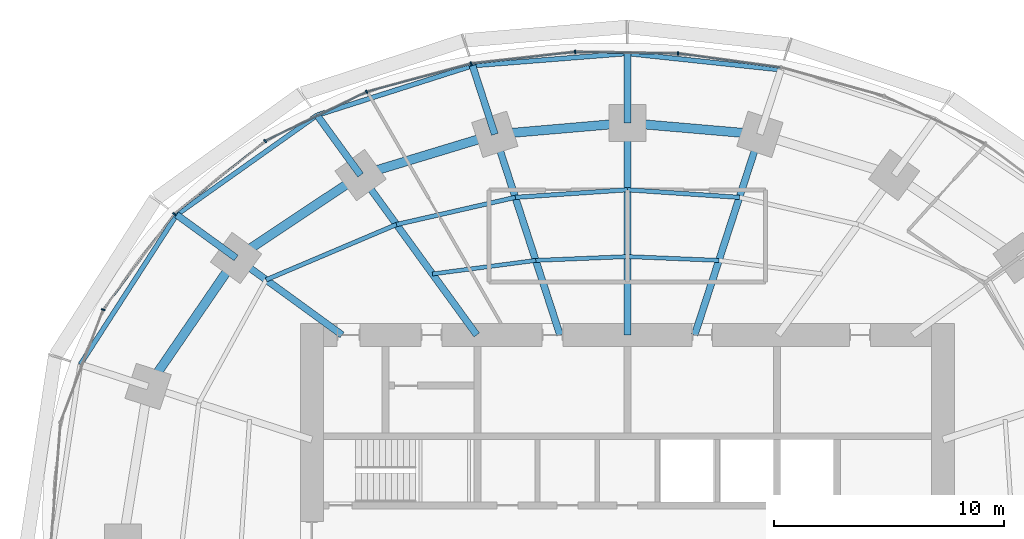
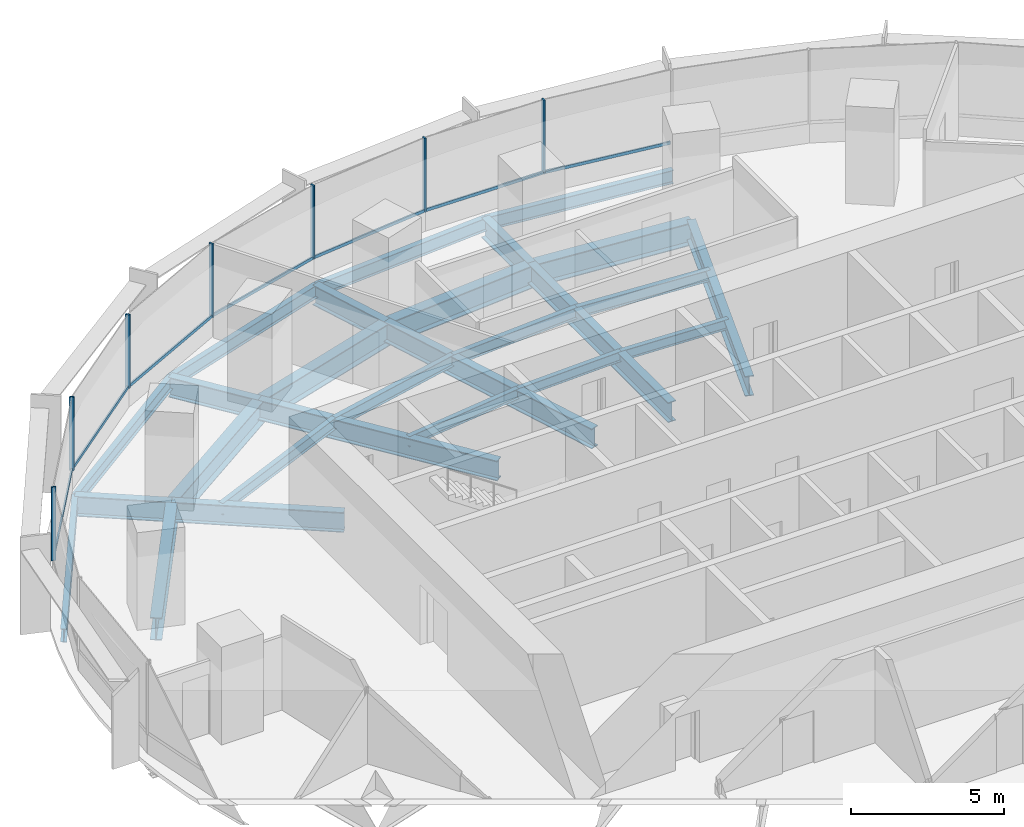
# One storey, part 7 of 14: 26 beams, 14 members, 2 elements without a shape of their own.
"""IFC4 building model written with IfcOpenShell, lengths in metres."""

from ifc_helpers import new_model, si_unit, direction, frame, origin, origin_2d, place, context, subcontext, project, spatial, rectangle, i_section, extrude, material, material_profile, profile_set, type_object, element, aggregate, save


model = new_model("IFC4")

# Units and contexts
model_context = context("Model", 3, precision=1e-05, world=origin(), true_north=direction((0.0, 1.0)))
body_context = subcontext(model_context, "Body", "Model", "MODEL_VIEW")
ifc_project = project(units=[si_unit("LENGTHUNIT", "METRE"), si_unit("AREAUNIT", "SQUARE_METRE"), si_unit("VOLUMEUNIT", "CUBIC_METRE"), si_unit("PLANEANGLEUNIT", "RADIAN"), si_unit("MASSUNIT", "GRAM", prefix="KILO")], contexts=[model_context])

# Site, building, storey
site_placement = place(None, origin())
site = spatial("IfcSite", under=ifc_project, at=site_placement, CompositionType="ELEMENT")
building_placement = place(site_placement, origin())
building = spatial("IfcBuilding", under=site, at=building_placement, Name="Marramba Exchange Tower", CompositionType="ELEMENT")
storey_placement = place(building_placement, frame((0.0, 0.0, 96.300048828125)))
storey = spatial("IfcBuildingStorey", under=building, at=storey_placement, Name="L22", CompositionType="ELEMENT", Elevation=96.300048828125)

# Beams
ifc_material_1 = material(Name="Steel AS/NZS 3679.2 grade 300", Category="steel")
ifc_material_profile_1 = material_profile(ifc_material_1, i_section(OverallWidth=0.300048828125, OverallDepth=0.800048828125, WebThickness=0.013916015625, FlangeThickness=0.031982421875, at=origin_2d()), Name="800WB192")
ifc_profile_set_1 = profile_set([ifc_material_profile_1], Name="Steel AS/NZS 3679.2 grade 300")
beam_type_1 = type_object("IfcBeamType", Name="Cantilever girder 800WB192", PredefinedType="BEAM", material=ifc_profile_set_1)
beam_1_placement = place(storey_placement, frame((0.0, 18.2041015625, -0.56005859375), z_axis=(0.0, 1.0, 0.0), x_axis=(-1.0, 0.0, 0.0)))
element("IfcBeam", 1, at=beam_1_placement, inside=storey, type_object=beam_type_1, Name="Cantilever girder L22 TC06", PredefinedType="BEAM", context=body_context, shape_type="SweptSolid", body=[
    extrude(i_section(OverallWidth=0.300048828125, OverallDepth=0.800048828125, WebThickness=0.013916015625, FlangeThickness=0.031982421875, at=origin_2d()), origin(), (0.0, 0.0, 1.0), 3.01904296875),
])
beam_2_placement = place(storey_placement, frame((-5.75390625, 17.70849609375, -0.56005859375), z_axis=(-0.309028002802, 0.95105293937, 0.0), x_axis=(-0.95105293937, -0.309028002802, 0.0)))
element("IfcBeam", 2, at=beam_2_placement, inside=storey, type_object=beam_type_1, Name="Cantilever girder L22 TC07", PredefinedType="BEAM", context=body_context, shape_type="SweptSolid", body=[
    extrude(i_section(OverallWidth=0.300048828125, OverallDepth=0.800048828125, WebThickness=0.013916015625, FlangeThickness=0.031982421875, at=origin_2d()), origin(), (0.0, 0.0, 1.0), 3.13720703125),
])
beam_3_placement = place(storey_placement, frame((-11.581298828125, 15.9404296875, -0.56005859375), z_axis=(-0.587828447158, 0.808985609706, 0.0), x_axis=(-0.808985609706, -0.587828447158, 0.0)))
element("IfcBeam", 3, at=beam_3_placement, inside=storey, type_object=beam_type_1, Name="Cantilever girder L22 TC08", PredefinedType="BEAM", context=body_context, shape_type="SweptSolid", body=[
    extrude(i_section(OverallWidth=0.300048828125, OverallDepth=0.800048828125, WebThickness=0.013916015625, FlangeThickness=0.031982421875, at=origin_2d()), origin(), (0.0, 0.0, 1.0), 3.214599609375),
])
beam_4_placement = place(storey_placement, frame((-16.98583984375, 12.3408203125, -0.56005859375), z_axis=(-0.809013857915, 0.587789569234, 0.0), x_axis=(-0.587789569234, -0.809013857915, 0.0)))
element("IfcBeam", 4, at=beam_4_placement, inside=storey, type_object=beam_type_1, Name="Cantilever girder L22 TC09", PredefinedType="BEAM", context=body_context, shape_type="SweptSolid", body=[
    extrude(i_section(OverallWidth=0.300048828125, OverallDepth=0.800048828125, WebThickness=0.013916015625, FlangeThickness=0.031982421875, at=origin_2d()), origin(), (0.0, 0.0, 1.0), 3.191650390625),
])
ifc_material_2 = material(Name="Steel AS/NZS 3679.1 grade 300", Category="steel")
ifc_material_profile_2 = material_profile(ifc_material_2, i_section(OverallWidth=0.177978515625, OverallDepth=0.406005859375, WebThickness=0.0078125, FlangeThickness=0.0126953125, FilletRadius=0.011474609375, at=origin_2d()), Name="410UB59.7")
ifc_profile_set_2 = profile_set([ifc_material_profile_2], Name="Steel AS/NZS 3679.1 grade 300")
beam_type_2 = type_object("IfcBeamType", Name="Floor joist 410UB59.7", PredefinedType="JOIST", material=ifc_profile_set_2)
for number, where, z_axis, x_axis, name in (
    (5, (3.975830078125, 12.236083984375, -0.363037109375), (-0.999137002892, 0.041536122257, 0.0), (-0.041536122257, -0.999137002892, 0.0), "Joist L22 bay 05 row 1"),
    (6, (0.0, 12.4013671875, -0.363037109375), (-0.999137002892, -0.041536122257, 0.0), (0.041536122257, -0.999137002892, 0.0), "Joist L22 bay 06 row 1"),
):
    element("IfcBeam", number, at=place(storey_placement, frame(where, z_axis=z_axis, x_axis=x_axis)), inside=storey, type_object=beam_type_2, Name=name, PredefinedType="JOIST", context=body_context, shape_type="SweptSolid", body=[
        extrude(i_section(OverallWidth=0.177978515625, OverallDepth=0.406005859375, WebThickness=0.0078125, FlangeThickness=0.0126953125, FilletRadius=0.011474609375, at=origin_2d()), origin(), (0.0, 0.0, 1.0), 3.979248046875),
    ])
beam_5_placement = place(storey_placement, frame((-3.975830078125, 12.236083984375, -0.363037109375), z_axis=(-0.991480538255, -0.130254912618, 0.0), x_axis=(0.130254912618, -0.991480538255, 0.0)))
element("IfcBeam", 7, at=beam_5_placement, inside=storey, type_object=beam_type_2, Name="Joist L22 bay 07 row 1", PredefinedType="JOIST", context=body_context, shape_type="SweptSolid", body=[
    extrude(i_section(OverallWidth=0.177978515625, OverallDepth=0.406005859375, WebThickness=0.0078125, FlangeThickness=0.0126953125, FilletRadius=0.011474609375, at=origin_2d()), origin(), (0.0, 0.0, 1.0), 4.524658203125),
])
ifc_material_profile_3 = material_profile(ifc_material_2, i_section(OverallWidth=0.18994140625, OverallDepth=0.4541015625, WebThickness=0.008544921875, FlangeThickness=0.0126953125, FilletRadius=0.011474609375, at=origin_2d()), Name="460UB67.1")
ifc_profile_set_3 = profile_set([ifc_material_profile_3], Name="Steel AS/NZS 3679.1 grade 300")
beam_type_3 = type_object("IfcBeamType", Name="Floor joist 460UB67.1", PredefinedType="JOIST", material=ifc_profile_set_3)
for number, where, z_axis, x_axis, name in (
    (8, (4.86474609375, 14.972412109375, -0.386962890625), (-0.997702652202, 0.067745241816, 0.0), (-0.067745241816, -0.997702652202, 0.0), "Joist L22 bay 05 row 2"),
    (9, (0.0, 15.302734375, -0.386962890625), (-0.997702652202, -0.067745241816, 0.0), (0.067745241816, -0.997702652202, 0.0), "Joist L22 bay 06 row 2"),
):
    element("IfcBeam", number, at=place(storey_placement, frame(where, z_axis=z_axis, x_axis=x_axis)), inside=storey, type_object=beam_type_3, Name=name, PredefinedType="JOIST", context=body_context, shape_type="SweptSolid", body=[
        extrude(i_section(OverallWidth=0.18994140625, OverallDepth=0.4541015625, WebThickness=0.008544921875, FlangeThickness=0.0126953125, FilletRadius=0.011474609375, at=origin_2d()), origin(), (0.0, 0.0, 1.0), 4.8759765625),
    ])
beam_6_placement = place(storey_placement, frame((-4.86474609375, 14.972412109375, -0.386962890625), z_axis=(-0.974859652292, -0.222819788916, 0.0), x_axis=(0.222819788916, -0.974859652292, 0.0)))
element("IfcBeam", 10, at=beam_6_placement, inside=storey, type_object=beam_type_3, Name="Joist L22 bay 07 row 2", PredefinedType="JOIST", context=body_context, shape_type="SweptSolid", body=[
    extrude(i_section(OverallWidth=0.18994140625, OverallDepth=0.4541015625, WebThickness=0.008544921875, FlangeThickness=0.0126953125, FilletRadius=0.011474609375, at=origin_2d()), origin(), (0.0, 0.0, 1.0), 5.2900390625),
])
beam_7_placement = place(storey_placement, frame((-10.021728515625, 13.793701171875, -0.386962890625), z_axis=(-0.920674336375, -0.390331610738, 0.0), x_axis=(0.390331610738, -0.920674336375, 0.0)))
element("IfcBeam", 11, at=beam_7_placement, inside=storey, type_object=beam_type_3, Name="Joist L22 bay 08 row 2", PredefinedType="JOIST", context=body_context, shape_type="SweptSolid", body=[
    extrude(i_section(OverallWidth=0.18994140625, OverallDepth=0.4541015625, WebThickness=0.008544921875, FlangeThickness=0.0126953125, FilletRadius=0.011474609375, at=origin_2d()), origin(), (0.0, 0.0, 1.0), 6.1484375),
])

# Curtain wall, members
ifc_material_3 = material(Name="Aluminium framing, bronze anodised", Category="aluminium")
curtain_wall_type = type_object("IfcCurtainWallType", Name="Office ribbon curtain wall", PredefinedType="USERDEFINED", material=ifc_material_3)
curtain_wall_1_placement = place(storey_placement, origin())
curtain_wall_1 = element("IfcCurtainWall", 12, at=curtain_wall_1_placement, inside=storey, type_object=curtain_wall_type, Name="Curtain wall CW4 L22 F06-F10", ObjectType="RIBBON CURTAIN WALL", PredefinedType="USERDEFINED")
ifc_material_4 = material(Name="Aluminium mullion, bronze anodised", Category="aluminium")
ifc_material_profile_4 = material_profile(ifc_material_4, rectangle(XDim=0.159912109375, YDim=0.06005859375, at=origin_2d()), Name="CW4 mullion 60x160")
ifc_profile_set_4 = profile_set([ifc_material_profile_4], Name="Aluminium mullion, bronze anodised")
member_type_1 = type_object("IfcMemberType", Name="Office ribbon curtain wall mullion", PredefinedType="MULLION", material=ifc_profile_set_4)
member_1_placement = place(storey_placement, frame((2.200439453125, 21.2216796875, 0.800048828125), z_axis=(0.0, 0.0, 1.0), x_axis=(-0.01575578169, -0.999875869968, 0.0)))
member_1 = element("IfcMember", 13, at=member_1_placement, type_object=member_type_1, Name="CW4 mullion 1", PredefinedType="MULLION", context=body_context, shape_type="SweptSolid", body=[
    extrude(rectangle(XDim=0.159912109375, YDim=0.06005859375, at=origin_2d()), origin(), (0.0, 0.0, 1.0), 2.93994140625),
])
member_2_placement = place(storey_placement, frame((-2.267578125, 21.288330078125, 0.800048828125), z_axis=(0.0, 0.0, 1.0), x_axis=(0.110973233233, -0.993823395532, 0.0)))
member_2 = element("IfcMember", 14, at=member_2_placement, type_object=member_type_1, Name="CW4 mullion 1", PredefinedType="MULLION", context=body_context, shape_type="SweptSolid", body=[
    extrude(rectangle(XDim=0.159912109375, YDim=0.06005859375, at=origin_2d()), origin(), (0.0, 0.0, 1.0), 2.93994140625),
])
member_3_placement = place(storey_placement, frame((-6.783203125, 20.779541015625, 0.800048828125), z_axis=(0.0, 0.0, 1.0), x_axis=(0.260321294588, -0.965522047176, 0.0)))
member_3 = element("IfcMember", 15, at=member_3_placement, type_object=member_type_1, Name="CW4 mullion 1", PredefinedType="MULLION", context=body_context, shape_type="SweptSolid", body=[
    extrude(rectangle(XDim=0.159912109375, YDim=0.06005859375, at=origin_2d()), origin(), (0.0, 0.0, 1.0), 2.93994140625),
])

curtain_wall_2_placement = place(storey_placement, origin())
curtain_wall_2 = element("IfcCurtainWall", 16, at=curtain_wall_2_placement, inside=storey, type_object=curtain_wall_type, Name="Curtain wall CW4 L22 F11-F15", ObjectType="RIBBON CURTAIN WALL", PredefinedType="USERDEFINED")
member_4_placement = place(storey_placement, frame((-11.32177734375, 19.550048828125, 0.800048828125), z_axis=(0.0, 0.0, 1.0), x_axis=(0.435427626771, -0.900223739881, 0.0)))
member_4 = element("IfcMember", 17, at=member_4_placement, type_object=member_type_1, Name="CW4 mullion 1", PredefinedType="MULLION", context=body_context, shape_type="SweptSolid", body=[
    extrude(rectangle(XDim=0.159912109375, YDim=0.06005859375, at=origin_2d()), origin(), (0.0, 0.0, 1.0), 2.93994140625),
])
member_5_placement = place(storey_placement, frame((-15.720703125, 17.414794921875, 0.800048828125), z_axis=(0.0, 0.0, 1.0), x_axis=(0.624307950145, -0.78117833008, 0.0)))
member_5 = element("IfcMember", 18, at=member_5_placement, type_object=member_type_1, Name="CW4 mullion 1", PredefinedType="MULLION", context=body_context, shape_type="SweptSolid", body=[
    extrude(rectangle(XDim=0.159912109375, YDim=0.06005859375, at=origin_2d()), origin(), (0.0, 0.0, 1.0), 2.93994140625),
])
member_6_placement = place(storey_placement, frame((-19.666748046875, 14.251708984375, 0.800048828125), z_axis=(0.0, 0.0, 1.0), x_axis=(0.80171686484, -0.597703997504, 0.0)))
member_6 = element("IfcMember", 19, at=member_6_placement, type_object=member_type_1, Name="CW4 mullion 1", PredefinedType="MULLION", context=body_context, shape_type="SweptSolid", body=[
    extrude(rectangle(XDim=0.159912109375, YDim=0.06005859375, at=origin_2d()), origin(), (0.0, 0.0, 1.0), 2.93994140625),
])
member_7_placement = place(storey_placement, frame((-22.75341796875, 10.09765625, 0.800048828125), z_axis=(0.0, 0.0, 1.0), x_axis=(0.934925346317, -0.354844468484, 0.0)))
member_7 = element("IfcMember", 20, at=member_7_placement, type_object=member_type_1, Name="CW4 mullion 1", PredefinedType="MULLION", context=body_context, shape_type="SweptSolid", body=[
    extrude(rectangle(XDim=0.159912109375, YDim=0.06005859375, at=origin_2d()), origin(), (0.0, 0.0, 1.0), 2.93994140625),
])

# Member
ifc_material_5 = material(Name="Aluminium transom, bronze anodised", Category="aluminium")
ifc_material_profile_5 = material_profile(ifc_material_5, rectangle(XDim=0.06005859375, YDim=0.1201171875, at=origin_2d()), Name="CW4 transom 60x120")
ifc_profile_set_5 = profile_set([ifc_material_profile_5], Name="Aluminium transom, bronze anodised")
member_type_2 = type_object("IfcMemberType", Name="Office ribbon curtain wall transom", PredefinedType="USERDEFINED", material=ifc_profile_set_5)
member_8_placement = place(storey_placement, frame((6.636962890625, 20.6171875, 0.829833984375), z_axis=(-0.990736067897, 0.135801486619, 0.0), x_axis=(-0.135801486619, -0.990736067897, 0.0)))
member_8 = element("IfcMember", 21, at=member_8_placement, type_object=member_type_2, Name="CW4 sill transom", ObjectType="TRANSOM", PredefinedType="USERDEFINED", context=body_context, shape_type="SweptSolid", body=[
    extrude(rectangle(XDim=0.06005859375, YDim=0.1201171875, at=origin_2d()), origin(), (0.0, 0.0, 1.0), 4.44775390625),
])

member_9_placement = place(storey_placement, frame((2.17041015625, 21.22216796875, 0.829833984375), z_axis=(-0.999875452363, 0.015782260962, 0.0), x_axis=(-0.015782260962, -0.999875452363, 0.0)))
member_9 = element("IfcMember", 22, at=member_9_placement, type_object=member_type_2, Name="CW4 sill transom", ObjectType="TRANSOM", PredefinedType="USERDEFINED", context=body_context, shape_type="SweptSolid", body=[
    extrude(rectangle(XDim=0.06005859375, YDim=0.1201171875, at=origin_2d()), origin(), (0.0, 0.0, 1.0), 4.40869140625),
])

member_10_placement = place(storey_placement, frame((-2.29736328125, 21.284912109375, 0.829833984375), z_axis=(-0.993825837835, -0.110951358943, 0.0), x_axis=(0.110951358943, -0.993825837835, 0.0)))
member_10 = element("IfcMember", 23, at=member_10_placement, type_object=member_type_2, Name="CW4 sill transom", ObjectType="TRANSOM", PredefinedType="USERDEFINED", context=body_context, shape_type="SweptSolid", body=[
    extrude(rectangle(XDim=0.06005859375, YDim=0.1201171875, at=origin_2d()), origin(), (0.0, 0.0, 1.0), 4.484375),
])

member_11_placement = place(storey_placement, frame((-6.812255859375, 20.771728515625, 0.829833984375), z_axis=(-0.965511085148, -0.260361948942, 0.0), x_axis=(0.260361948942, -0.965511085148, 0.0)))
member_11 = element("IfcMember", 24, at=member_11_placement, type_object=member_type_2, Name="CW4 sill transom", ObjectType="TRANSOM", PredefinedType="USERDEFINED", context=body_context, shape_type="SweptSolid", body=[
    extrude(rectangle(XDim=0.06005859375, YDim=0.1201171875, at=origin_2d()), origin(), (0.0, 0.0, 1.0), 4.642578125),
])

aggregate(curtain_wall_1, [member_8, member_1, member_9, member_2, member_10, member_3, member_11])

member_12_placement = place(storey_placement, frame((-11.348876953125, 19.536865234375, 0.829833984375), z_axis=(-0.900223166385, -0.435428812442, 0.0), x_axis=(0.435428812442, -0.900223166385, 0.0)))
member_12 = element("IfcMember", 25, at=member_12_placement, type_object=member_type_2, Name="CW4 sill transom", ObjectType="TRANSOM", PredefinedType="USERDEFINED", context=body_context, shape_type="SweptSolid", body=[
    extrude(rectangle(XDim=0.06005859375, YDim=0.1201171875, at=origin_2d()), origin(), (0.0, 0.0, 1.0), 4.830322265625),
])

member_13_placement = place(storey_placement, frame((-15.744140625, 17.396240234375, 0.829833984375), z_axis=(-0.781164169531, -0.624325668414, 0.0), x_axis=(0.624325668414, -0.781164169531, 0.0)))
member_13 = element("IfcMember", 26, at=member_13_placement, type_object=member_type_2, Name="CW4 sill transom", ObjectType="TRANSOM", PredefinedType="USERDEFINED", context=body_context, shape_type="SweptSolid", body=[
    extrude(rectangle(XDim=0.06005859375, YDim=0.1201171875, at=origin_2d()), origin(), (0.0, 0.0, 1.0), 4.998291015625),
])

member_14_placement = place(storey_placement, frame((-19.6845703125, 14.2275390625, 0.829833984375), z_axis=(-0.597714731658, -0.801708862093, 0.0), x_axis=(0.801708862093, -0.597714731658, 0.0)))
member_14 = element("IfcMember", 27, at=member_14_placement, type_object=member_type_2, Name="CW4 sill transom", ObjectType="TRANSOM", PredefinedType="USERDEFINED", context=body_context, shape_type="SweptSolid", body=[
    extrude(rectangle(XDim=0.06005859375, YDim=0.1201171875, at=origin_2d()), origin(), (0.0, 0.0, 1.0), 5.1162109375),
])

aggregate(curtain_wall_2, [member_4, member_12, member_5, member_13, member_6, member_14, member_7])

# Beams
ifc_material_profile_6 = material_profile(ifc_material_1, i_section(OverallWidth=0.300048828125, OverallDepth=0.800048828125, WebThickness=0.013916015625, FlangeThickness=0.031982421875, at=origin_2d()), Name="800WB192")
ifc_profile_set_6 = profile_set([ifc_material_profile_6], Name="Steel AS/NZS 3679.2 grade 300")
beam_type_4 = type_object("IfcBeamType", Name="Radial girder 800WB192", PredefinedType="BEAM", material=ifc_profile_set_6)
beam_8_placement = place(storey_placement, frame((2.92431640625, 9.0, -0.56005859375), z_axis=(0.309019754162, 0.951055619582, 0.0), x_axis=(-0.951055619582, 0.309019754162, 0.0)))
element("IfcBeam", 28, at=beam_8_placement, inside=storey, type_object=beam_type_4, Name="Radial girder L22 TC05", PredefinedType="BEAM", context=body_context, shape_type="SweptSolid", body=[
    extrude(i_section(OverallWidth=0.300048828125, OverallDepth=0.800048828125, WebThickness=0.013916015625, FlangeThickness=0.031982421875, at=origin_2d()), origin(), (0.0, 0.0, 1.0), 9.15673828125),
])
beam_9_placement = place(storey_placement, frame((0.0, 9.0, -0.56005859375), z_axis=(0.0, 1.0, 0.0), x_axis=(-1.0, 0.0, 0.0)))
element("IfcBeam", 29, at=beam_9_placement, inside=storey, type_object=beam_type_4, Name="Radial girder L22 TC06", PredefinedType="BEAM", context=body_context, shape_type="SweptSolid", body=[
    extrude(i_section(OverallWidth=0.300048828125, OverallDepth=0.800048828125, WebThickness=0.013916015625, FlangeThickness=0.031982421875, at=origin_2d()), origin(), (0.0, 0.0, 1.0), 9.2041015625),
])
beam_10_placement = place(storey_placement, frame((-2.92431640625, 9.0, -0.56005859375), z_axis=(-0.309019754162, 0.951055619582, 0.0), x_axis=(-0.951055619582, -0.309019754162, 0.0)))
element("IfcBeam", 30, at=beam_10_placement, inside=storey, type_object=beam_type_4, Name="Radial girder L22 TC07", PredefinedType="BEAM", context=body_context, shape_type="SweptSolid", body=[
    extrude(i_section(OverallWidth=0.300048828125, OverallDepth=0.800048828125, WebThickness=0.013916015625, FlangeThickness=0.031982421875, at=origin_2d()), origin(), (0.0, 0.0, 1.0), 9.15673828125),
])
beam_11_placement = place(storey_placement, frame((-6.538818359375, 9.0, -0.56005859375), z_axis=(-0.587782439969, 0.80901903764, 0.0), x_axis=(-0.80901903764, -0.587782439969, 0.0)))
element("IfcBeam", 31, at=beam_11_placement, inside=storey, type_object=beam_type_4, Name="Radial girder L22 TC08", PredefinedType="BEAM", context=body_context, shape_type="SweptSolid", body=[
    extrude(i_section(OverallWidth=0.300048828125, OverallDepth=0.800048828125, WebThickness=0.013916015625, FlangeThickness=0.031982421875, at=origin_2d()), origin(), (0.0, 0.0, 1.0), 8.578857421875),
])
beam_12_placement = place(storey_placement, frame((-12.387451171875, 9.0, -0.56005859375), z_axis=(-0.809025746925, 0.587773205252, 0.0), x_axis=(-0.587773205252, -0.809025746925, 0.0)))
element("IfcBeam", 32, at=beam_12_placement, inside=storey, type_object=beam_type_4, Name="Radial girder L22 TC09", PredefinedType="BEAM", context=body_context, shape_type="SweptSolid", body=[
    extrude(i_section(OverallWidth=0.300048828125, OverallDepth=0.800048828125, WebThickness=0.013916015625, FlangeThickness=0.031982421875, at=origin_2d()), origin(), (0.0, 0.0, 1.0), 5.683837890625),
])
ifc_material_profile_7 = material_profile(ifc_material_1, i_section(OverallWidth=0.39990234375, OverallDepth=0.89990234375, WebThickness=0.01611328125, FlangeThickness=0.031982421875, at=origin_2d()), Name="900WB282")
ifc_profile_set_7 = profile_set([ifc_material_profile_7], Name="Steel AS/NZS 3679.2 grade 300")
beam_type_5 = type_object("IfcBeamType", Name="Ring beam 900WB282", PredefinedType="SPANDREL", material=ifc_profile_set_7)
for number, where, z_axis, x_axis, name in (
    (33, (5.75390625, 17.70849609375, -0.610107421875), (-0.996311003275, 0.085815993578, 0.0), (-0.085815993578, -0.996311003275, 0.0), "Ring beam L22 TC05-TC06"),
    (34, (0.0, 18.2041015625, -0.610107421875), (-0.996311003275, -0.085815993578, 0.0), (0.085815993578, -0.996311003275, 0.0), "Ring beam L22 TC06-TC07"),
):
    element("IfcBeam", number, at=place(storey_placement, frame(where, z_axis=z_axis, x_axis=x_axis)), inside=storey, type_object=beam_type_5, Name=name, PredefinedType="SPANDREL", context=body_context, shape_type="SweptSolid", body=[
        extrude(i_section(OverallWidth=0.39990234375, OverallDepth=0.89990234375, WebThickness=0.01611328125, FlangeThickness=0.031982421875, at=origin_2d()), origin(), (0.0, 0.0, 1.0), 5.775146484375),
    ])
beam_13_placement = place(storey_placement, frame((-5.75390625, 17.70849609375, -0.610107421875), z_axis=(-0.956924542524, -0.290336735387, 0.0), x_axis=(0.290336735387, -0.956924542524, 0.0)))
element("IfcBeam", 35, at=beam_13_placement, inside=storey, type_object=beam_type_5, Name="Ring beam L22 TC07-TC08", PredefinedType="SPANDREL", context=body_context, shape_type="SweptSolid", body=[
    extrude(i_section(OverallWidth=0.39990234375, OverallDepth=0.89990234375, WebThickness=0.01611328125, FlangeThickness=0.031982421875, at=origin_2d()), origin(), (0.0, 0.0, 1.0), 6.089599609375),
])
beam_14_placement = place(storey_placement, frame((-11.581298828125, 15.9404296875, -0.610107421875), z_axis=(-0.832293151443, -0.554335737673, 0.0), x_axis=(0.554335737673, -0.832293151443, 0.0)))
element("IfcBeam", 36, at=beam_14_placement, inside=storey, type_object=beam_type_5, Name="Ring beam L22 TC08-TC09", PredefinedType="SPANDREL", context=body_context, shape_type="SweptSolid", body=[
    extrude(i_section(OverallWidth=0.39990234375, OverallDepth=0.89990234375, WebThickness=0.01611328125, FlangeThickness=0.031982421875, at=origin_2d()), origin(), (0.0, 0.0, 1.0), 6.49365234375),
])
beam_15_placement = place(storey_placement, frame((-16.98583984375, 12.3408203125, -0.610107421875), z_axis=(-0.56516002054, -0.824981303535, 0.0), x_axis=(0.824981303535, -0.56516002054, 0.0)))
element("IfcBeam", 37, at=beam_15_placement, inside=storey, type_object=beam_type_5, Name="Ring beam L22 TC09-TC10", PredefinedType="SPANDREL", context=body_context, shape_type="SweptSolid", body=[
    extrude(i_section(OverallWidth=0.39990234375, OverallDepth=0.89990234375, WebThickness=0.01611328125, FlangeThickness=0.031982421875, at=origin_2d()), origin(), (0.0, 0.0, 1.0), 6.763671875),
])
ifc_material_profile_8 = material_profile(ifc_material_2, i_section(OverallWidth=0.208984375, OverallDepth=0.528076171875, WebThickness=0.009521484375, FlangeThickness=0.01318359375, FilletRadius=0.013916015625, at=origin_2d()), Name="530UB82.0")
ifc_profile_set_8 = profile_set([ifc_material_profile_8], Name="Steel AS/NZS 3679.1 grade 300")
beam_type_6 = type_object("IfcBeamType", Name="Slab edge beam 530UB82.0", PredefinedType="SPANDREL", material=ifc_profile_set_8)
beam_16_placement = place(storey_placement, frame((6.66552734375, 20.51416015625, -0.424072265625), z_axis=(-0.994390706415, 0.105769196815, 0.0), x_axis=(-0.105769196815, -0.994390706415, 0.0)))
element("IfcBeam", 38, at=beam_16_placement, inside=storey, type_object=beam_type_6, Name="Slab edge beam L22 TC05-TC06", PredefinedType="SPANDREL", context=body_context, shape_type="SweptSolid", body=[
    extrude(i_section(OverallWidth=0.208984375, OverallDepth=0.528076171875, WebThickness=0.009521484375, FlangeThickness=0.01318359375, FilletRadius=0.013916015625, at=origin_2d()), origin(), (0.0, 0.0, 1.0), 6.703125),
])
beam_17_placement = place(storey_placement, frame((0.0, 21.22314453125, -0.424072265625), z_axis=(-0.996895681721, -0.078733726996, 0.0), x_axis=(0.078733726996, -0.996895681721, 0.0)))
element("IfcBeam", 39, at=beam_17_placement, inside=storey, type_object=beam_type_6, Name="Slab edge beam L22 TC06-TC07", PredefinedType="SPANDREL", context=body_context, shape_type="SweptSolid", body=[
    extrude(i_section(OverallWidth=0.208984375, OverallDepth=0.528076171875, WebThickness=0.009521484375, FlangeThickness=0.01318359375, FilletRadius=0.013916015625, at=origin_2d()), origin(), (0.0, 0.0, 1.0), 6.744384765625),
])
beam_18_placement = place(storey_placement, frame((-6.723388671875, 20.692138671875, -0.424072265625), z_axis=(-0.952755400854, -0.303738614839, 0.0), x_axis=(0.303738614839, -0.952755400854, 0.0)))
element("IfcBeam", 40, at=beam_18_placement, inside=storey, type_object=beam_type_6, Name="Slab edge beam L22 TC07-TC08", PredefinedType="SPANDREL", context=body_context, shape_type="SweptSolid", body=[
    extrude(i_section(OverallWidth=0.208984375, OverallDepth=0.528076171875, WebThickness=0.009521484375, FlangeThickness=0.01318359375, FilletRadius=0.013916015625, at=origin_2d()), origin(), (0.0, 0.0, 1.0), 7.08203125),
])
beam_19_placement = place(storey_placement, frame((-13.470947265625, 18.541015625, -0.424072265625), z_axis=(-0.815673202412, -0.578512944425, 0.0), x_axis=(0.578512944425, -0.815673202412, 0.0)))
element("IfcBeam", 41, at=beam_19_placement, inside=storey, type_object=beam_type_6, Name="Slab edge beam L22 TC08-TC09", PredefinedType="SPANDREL", context=body_context, shape_type="SweptSolid", body=[
    extrude(i_section(OverallWidth=0.208984375, OverallDepth=0.528076171875, WebThickness=0.009521484375, FlangeThickness=0.01318359375, FilletRadius=0.013916015625, at=origin_2d()), origin(), (0.0, 0.0, 1.0), 7.474609375),
])
beam_20_placement = place(storey_placement, frame((-19.56787109375, 14.216796875, -0.424072265625), z_axis=(-0.541060886597, -0.840983422544, 0.0), x_axis=(0.840983422544, -0.541060886597, 0.0)))
element("IfcBeam", 42, at=beam_20_placement, inside=storey, type_object=beam_type_6, Name="Slab edge beam L22 TC09-TC10", PredefinedType="SPANDREL", context=body_context, shape_type="SweptSolid", body=[
    extrude(i_section(OverallWidth=0.208984375, OverallDepth=0.528076171875, WebThickness=0.009521484375, FlangeThickness=0.01318359375, FilletRadius=0.013916015625, at=origin_2d()), origin(), (0.0, 0.0, 1.0), 7.72900390625),
])

save(model, "model.ifc")
